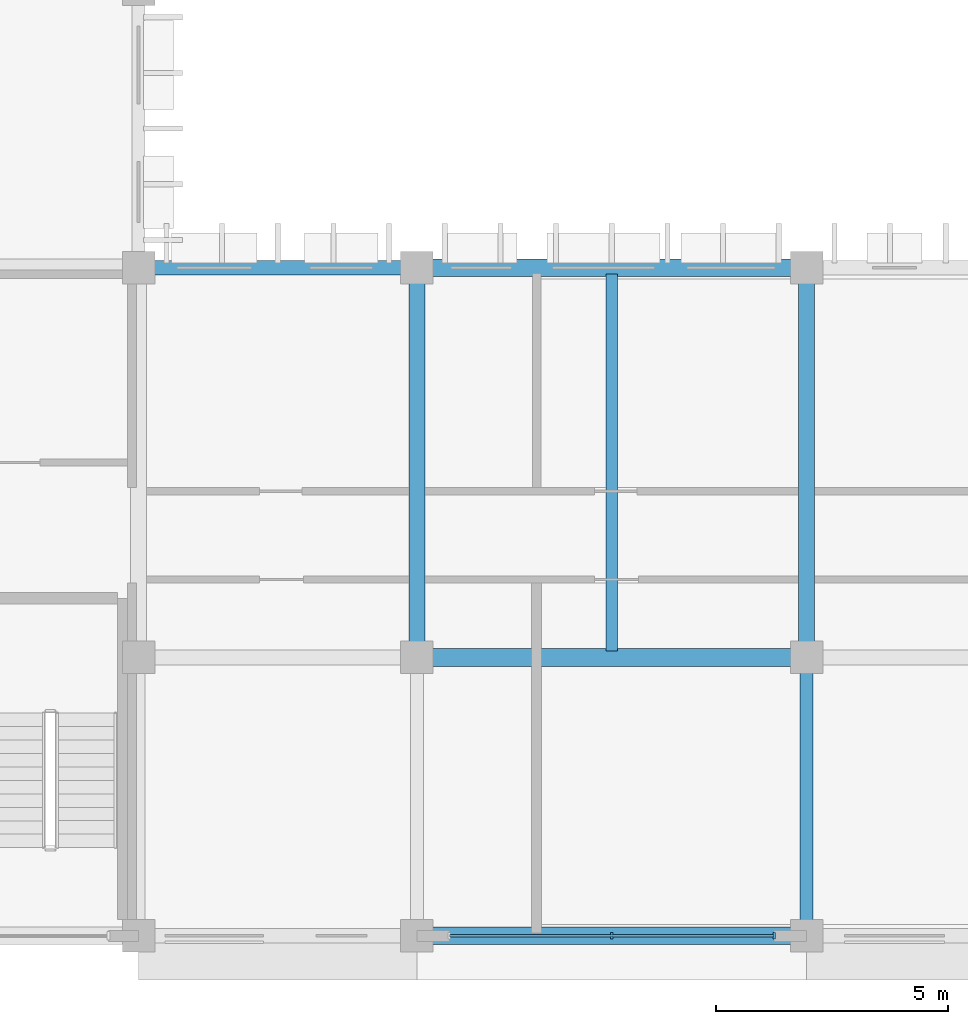
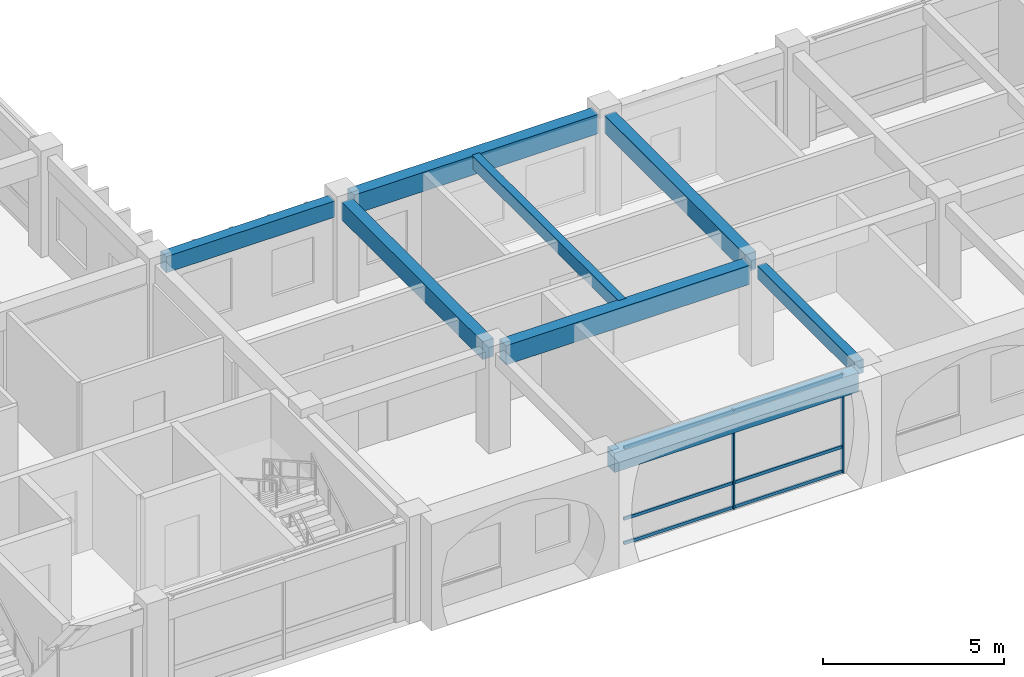
# One storey, part 13 of 88: 8 beams, 5 members, 1 element without a shape of its own.
"""IFC4 building model written with IfcOpenShell, lengths in metres."""

from ifc_helpers import new_model, si_unit, direction, frame, origin, origin_2d, place, context, subcontext, project, spatial, rectangle, extrude, material, material_profile, profile_set, type_object, element, aggregate, save


model = new_model("IFC4")

# Units and contexts
model_context = context("Model", 3, precision=1e-05, world=origin(), true_north=direction((0.0, 1.0)))
body_context = subcontext(model_context, "Body", "Model", "MODEL_VIEW")
ifc_project = project(units=[si_unit("LENGTHUNIT", "METRE"), si_unit("AREAUNIT", "SQUARE_METRE"), si_unit("VOLUMEUNIT", "CUBIC_METRE"), si_unit("PLANEANGLEUNIT", "RADIAN"), si_unit("MASSUNIT", "GRAM", prefix="KILO"), si_unit("THERMODYNAMICTEMPERATUREUNIT", "KELVIN")], contexts=[model_context])

# Site, building, storey
site_placement = place(None, origin())
site = spatial("IfcSite", under=ifc_project, at=site_placement, CompositionType="ELEMENT")
building_placement = place(site_placement, origin())
building = spatial("IfcBuilding", under=site, at=building_placement, Name="Thalorik Housing Commons", CompositionType="ELEMENT")
storey_placement = place(building_placement, frame((0.0, 0.0, 4.5)))
storey = spatial("IfcBuildingStorey", under=building, at=storey_placement, Name="L01", CompositionType="ELEMENT", Elevation=4.5)

# Curtain wall, members
ifc_material_1 = material(Name="Anodised aluminium and solar-control low-E glass", Category="aluminium")
curtain_wall_type = type_object("IfcCurtainWallType", Name="ARC-CW-LOUNGE", PredefinedType="USERDEFINED", material=ifc_material_1)
curtain_wall_placement = place(storey_placement, origin())
curtain_wall = element("IfcCurtainWall", 1, at=curtain_wall_placement, inside=storey, type_object=curtain_wall_type, Name="L01 Curtain Wall CW-RES-L01-C-132", ObjectType="CURTAIN WALL", PredefinedType="USERDEFINED")
ifc_material_2 = material(Name="Anodised aluminium 6063-T6", Category="aluminium")
ifc_material_profile_1 = material_profile(ifc_material_2, rectangle(XDim=0.054931640625, YDim=0.139892578125, at=origin_2d()), Name="ALU MUL 55x140", Category="aluminium")
ifc_profile_set_1 = profile_set([ifc_material_profile_1], Name="Anodised aluminium 6063-T6")
member_type_1 = type_object("IfcMemberType", Name="ARC-CW-MUL-55x140", PredefinedType="MULLION", material=ifc_profile_set_1)
member_1_placement = place(storey_placement, frame((33.0, 8.39990234375, 0.0), z_axis=(0.0, 0.0, 1.0), x_axis=(1.0, 0.0, 0.0)))
member_1 = element("IfcMember", 2, at=member_1_placement, type_object=member_type_1, Name="CW-RES-L01-C-132 Mullion 2", PredefinedType="MULLION", context=body_context, shape_type="SweptSolid", body=[
    extrude(rectangle(XDim=0.054931640625, YDim=0.139892578125, at=origin_2d()), origin(), (0.0, 0.0, 1.0), 3.340087890625),
])
member_2_placement = place(storey_placement, frame((36.5, 8.39990234375, 0.0), z_axis=(0.0, 0.0, 1.0), x_axis=(1.0, 0.0, 0.0)))
member_2 = element("IfcMember", 3, at=member_2_placement, type_object=member_type_1, Name="CW-RES-L01-C-132 Mullion 3", PredefinedType="MULLION", context=body_context, shape_type="SweptSolid", body=[
    extrude(rectangle(XDim=0.054931640625, YDim=0.139892578125, at=origin_2d()), origin(), (0.0, 0.0, 1.0), 3.340087890625),
])
ifc_material_profile_2 = material_profile(ifc_material_2, rectangle(XDim=0.054931640625, YDim=0.10498046875, at=origin_2d()), Name="ALU TRN 55x105", Category="aluminium")
ifc_profile_set_2 = profile_set([ifc_material_profile_2], Name="Anodised aluminium 6063-T6")
member_type_2 = type_object("IfcMemberType", Name="ARC-CW-TRN-55x105", PredefinedType="USERDEFINED", material=ifc_profile_set_2)
member_3_placement = place(storey_placement, frame((29.5, 8.39990234375, 0.054931640625), z_axis=(1.0, 0.0, 0.0), x_axis=(0.0, 1.0, 0.0)))
member_3 = element("IfcMember", 4, at=member_3_placement, type_object=member_type_2, Name="CW-RES-L01-C-132 Transom 1", ObjectType="TRANSOM", PredefinedType="USERDEFINED", context=body_context, shape_type="SweptSolid", body=[
    extrude(rectangle(XDim=0.054931640625, YDim=0.10498046875, at=origin_2d()), origin(), (0.0, 0.0, 1.0), 7.0),
])
member_4_placement = place(storey_placement, frame((29.5, 8.39990234375, 0.8798828125), z_axis=(1.0, 0.0, 0.0), x_axis=(0.0, 1.0, 0.0)))
member_4 = element("IfcMember", 5, at=member_4_placement, type_object=member_type_2, Name="CW-RES-L01-C-132 Transom 2", ObjectType="TRANSOM", PredefinedType="USERDEFINED", context=body_context, shape_type="SweptSolid", body=[
    extrude(rectangle(XDim=0.054931640625, YDim=0.10498046875, at=origin_2d()), origin(), (0.0, 0.0, 1.0), 7.0),
])
member_5_placement = place(storey_placement, frame((29.5, 8.39990234375, 3.284912109375), z_axis=(1.0, 0.0, 0.0), x_axis=(0.0, 1.0, 0.0)))
member_5 = element("IfcMember", 6, at=member_5_placement, type_object=member_type_2, Name="CW-RES-L01-C-132 Transom 3", ObjectType="TRANSOM", PredefinedType="USERDEFINED", context=body_context, shape_type="SweptSolid", body=[
    extrude(rectangle(XDim=0.054931640625, YDim=0.10498046875, at=origin_2d()), origin(), (0.0, 0.0, 1.0), 7.0),
])
aggregate(curtain_wall, [member_1, member_2, member_3, member_4, member_5])

# Beams
ifc_material_3 = material(Name="Precast concrete C40/50", Category="concrete")
ifc_material_profile_3 = material_profile(ifc_material_3, rectangle(XDim=0.280029296875, YDim=0.449951171875, at=origin_2d()), Name="PC 280x450", Category="concrete")
ifc_profile_set_3 = profile_set([ifc_material_profile_3], Name="Precast concrete C40/50")
beam_type_1 = type_object("IfcBeamType", Name="STR-BM-PC280x450", PredefinedType="BEAM", material=ifc_profile_set_3)
beam_1_placement = place(storey_placement, frame((37.199951171875, 8.699951171875, 3.114990234375), z_axis=(0.0, 1.0, 0.0), x_axis=(-1.0, 0.0, 0.0)))
element("IfcBeam", 7, at=beam_1_placement, inside=storey, type_object=beam_type_1, Name="L01 Beam B-450", PredefinedType="BEAM", context=body_context, shape_type="SweptSolid", body=[
    extrude(rectangle(XDim=0.280029296875, YDim=0.449951171875, at=origin_2d()), origin(), (0.0, 0.0, 1.0), 5.400146484375),
])
ifc_material_profile_4 = material_profile(ifc_material_3, rectangle(XDim=0.320068359375, YDim=0.550048828125, at=origin_2d()), Name="PC 320x550", Category="concrete")
ifc_profile_set_4 = profile_set([ifc_material_profile_4], Name="Precast concrete C40/50")
beam_type_2 = type_object("IfcBeamType", Name="STR-BM-PC320x550", PredefinedType="BEAM", material=ifc_profile_set_4)
beam_2_placement = place(storey_placement, frame((23.10009765625, 22.800048828125, 3.06494140625), z_axis=(1.0, 0.0, 0.0), x_axis=(0.0, 1.0, 0.0)))
element("IfcBeam", 8, at=beam_2_placement, inside=storey, type_object=beam_type_2, Name="L01 Beam B-550", PredefinedType="BEAM", context=body_context, shape_type="SweptSolid", body=[
    extrude(rectangle(XDim=0.320068359375, YDim=0.550048828125, at=origin_2d()), origin(), (0.0, 0.0, 1.0), 5.39990234375),
])
ifc_material_profile_5 = material_profile(ifc_material_3, rectangle(XDim=0.35009765625, YDim=0.60009765625, at=origin_2d()), Name="PC 350x600", Category="concrete")
ifc_profile_set_5 = profile_set([ifc_material_profile_5], Name="Precast concrete C40/50")
beam_type_3 = type_object("IfcBeamType", Name="STR-BM-PC350x600", PredefinedType="BEAM", material=ifc_profile_set_5)
for number, where, z_axis, x_axis, name in (
    (9, (28.800048828125, 14.699951171875, 3.0400390625), (0.0, 1.0, 0.0), (-1.0, 0.0, 0.0), "L01 Beam B-600"),
    (10, (37.199951171875, 14.699951171875, 3.0400390625), (0.0, 1.0, 0.0), (-1.0, 0.0, 0.0), "L01 Beam B-600"),
):
    element("IfcBeam", number, at=place(storey_placement, frame(where, z_axis=z_axis, x_axis=x_axis)), inside=storey, type_object=beam_type_3, Name=name, PredefinedType="BEAM", context=body_context, shape_type="SweptSolid", body=[
        extrude(rectangle(XDim=0.35009765625, YDim=0.60009765625, at=origin_2d()), origin(), (0.0, 0.0, 1.0), 7.800048828125),
    ])
ifc_material_profile_6 = material_profile(ifc_material_3, rectangle(XDim=0.3798828125, YDim=0.64990234375, at=origin_2d()), Name="PC 380x650", Category="concrete")
ifc_profile_set_6 = profile_set([ifc_material_profile_6], Name="Precast concrete C40/50")
beam_type_4 = type_object("IfcBeamType", Name="STR-BM-PC380x650", PredefinedType="BEAM", material=ifc_profile_set_6)
for number, where, z_axis, x_axis, name in (
    (11, (29.10009765625, 8.39990234375, 3.014892578125), (1.0, 0.0, 0.0), (0.0, 1.0, 0.0), "L01 Beam B-650"),
    (12, (29.10009765625, 14.39990234375, 3.014892578125), (1.0, 0.0, 0.0), (0.0, 1.0, 0.0), "L01 Beam B-650"),
    (13, (29.10009765625, 22.800048828125, 3.014892578125), (1.0, 0.0, 0.0), (0.0, 1.0, 0.0), "L01 Beam B-650"),
):
    element("IfcBeam", number, at=place(storey_placement, frame(where, z_axis=z_axis, x_axis=x_axis)), inside=storey, type_object=beam_type_4, Name=name, PredefinedType="BEAM", context=body_context, shape_type="SweptSolid", body=[
        extrude(rectangle(XDim=0.3798828125, YDim=0.64990234375, at=origin_2d()), origin(), (0.0, 0.0, 1.0), 7.7998046875),
    ])
ifc_material_profile_7 = material_profile(ifc_material_3, rectangle(XDim=0.239990234375, YDim=0.43994140625, at=origin_2d()), Name="PC JST 240x440", Category="concrete")
ifc_profile_set_7 = profile_set([ifc_material_profile_7], Name="Precast concrete C40/50")
beam_type_5 = type_object("IfcBeamType", Name="STR-JST-PC240x440", PredefinedType="JOIST", material=ifc_profile_set_7)
beam_3_placement = place(storey_placement, frame((33.0, 14.5400390625, 3.1201171875), z_axis=(0.0, 1.0, 0.0), x_axis=(-1.0, 0.0, 0.0)))
element("IfcBeam", 14, at=beam_3_placement, inside=storey, type_object=beam_type_5, Name="L01 Beam J-440", PredefinedType="JOIST", context=body_context, shape_type="SweptSolid", body=[
    extrude(rectangle(XDim=0.239990234375, YDim=0.43994140625, at=origin_2d()), origin(), (0.0, 0.0, 1.0), 8.119873046875),
])

save(model, "model.ifc")
